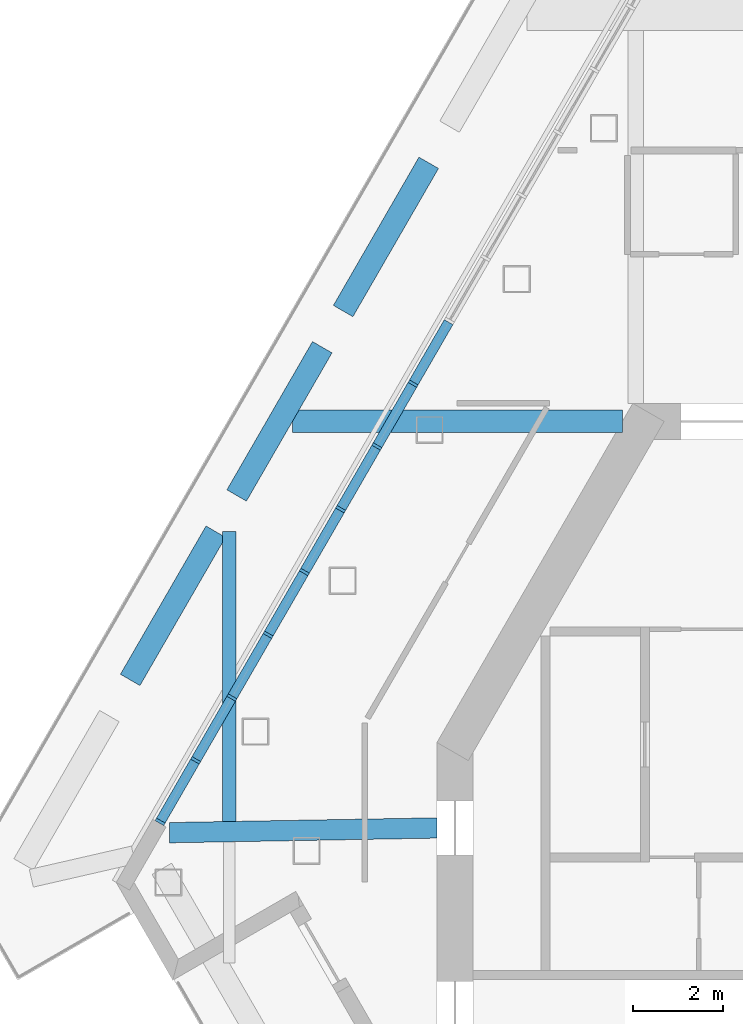
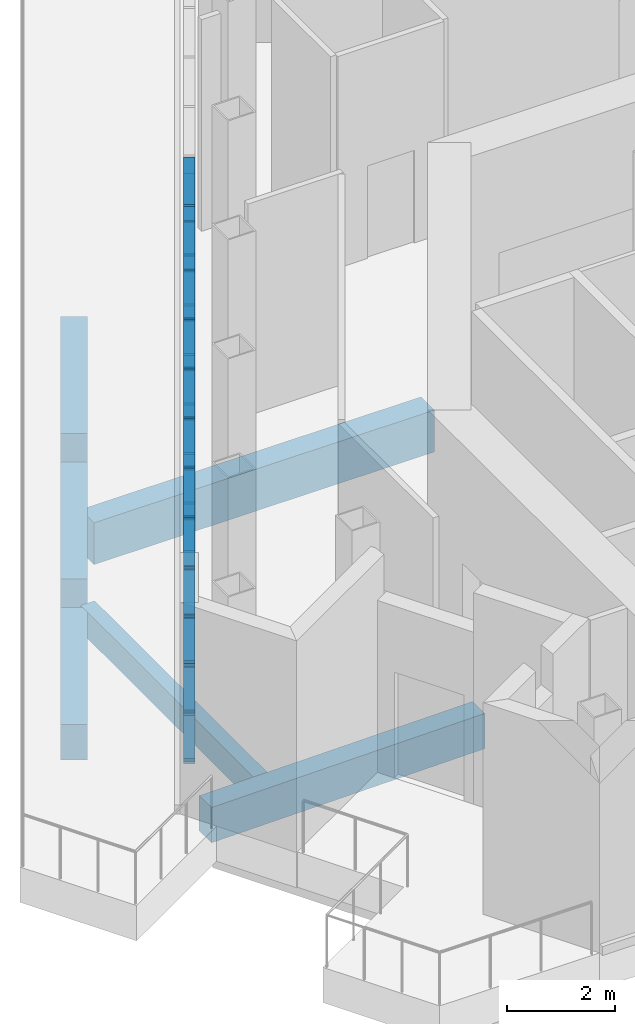
# One storey, part 2 of 15: 56 members, 6 beams, 1 element without a shape of its own.
"""IFC4 building model written with IfcOpenShell, lengths in metres."""

from ifc_helpers import new_model, si_unit, direction, frame, origin, origin_2d, place, context, subcontext, project, spatial, rectangle, extrude, material, material_profile, profile_set, type_object, element, aggregate, save


model = new_model("IFC4")

# Units and contexts
model_context = context("Model", 3, precision=1e-05, world=origin(), true_north=direction((0.0, 1.0)))
body_context = subcontext(model_context, "Body", "Model", "MODEL_VIEW")
ifc_project = project(units=[si_unit("LENGTHUNIT", "METRE"), si_unit("AREAUNIT", "SQUARE_METRE"), si_unit("VOLUMEUNIT", "CUBIC_METRE"), si_unit("PLANEANGLEUNIT", "RADIAN"), si_unit("MASSUNIT", "GRAM", prefix="KILO")], contexts=[model_context])

# Site, building, storey
site_placement = place(None, origin())
site = spatial("IfcSite", under=ifc_project, at=site_placement, CompositionType="ELEMENT")
building_placement = place(site_placement, origin())
building = spatial("IfcBuilding", under=site, at=building_placement, Name="Fogline Exchange Tower", CompositionType="ELEMENT")
storey_placement = place(building_placement, frame((0.0, 0.0, 344.699951171875)))
storey = spatial("IfcBuildingStorey", under=building, at=storey_placement, Name="L78", CompositionType="ELEMENT", Elevation=344.699951171875)

# Beams
ifc_material_1 = material(Name="Concrete C40", Category="concrete")
ifc_material_profile_1 = material_profile(ifc_material_1, rectangle(XDim=0.300048828125, YDim=0.60009765625, at=origin_2d()), Name="RC 300x600")
ifc_profile_set_1 = profile_set([ifc_material_profile_1], Name="Concrete C40")
beam_type_1 = type_object("IfcBeamType", Name="B06", PredefinedType="BEAM", material=ifc_profile_set_1)
beam_1_placement = place(storey_placement, frame((-18.0, 9.1435546875, -1.099853515625), z_axis=(0.0, 1.0, 0.0), x_axis=(-1.0, 0.0, 0.0)))
element("IfcBeam", 1, at=beam_1_placement, inside=storey, type_object=beam_type_1, Name="SB002", PredefinedType="BEAM", context=body_context, shape_type="SweptSolid", body=[
    extrude(rectangle(XDim=0.300048828125, YDim=0.60009765625, at=origin_2d()), origin(), (0.0, 0.0, 1.0), 6.416259765625),
])
ifc_material_profile_2 = material_profile(ifc_material_1, rectangle(XDim=0.5, YDim=0.800048828125, at=origin_2d()), Name="RC 500x800")
ifc_profile_set_2 = profile_set([ifc_material_profile_2], Name="Concrete C40")
beam_type_2 = type_object("IfcBeamType", Name="B10", PredefinedType="BEAM", material=ifc_profile_set_2)
for number, where, z_axis, x_axis, name in (
    (2, (-13.58251953125, 23.725341796875, -1.199951171875), (-0.499997501644, -0.866026846206, 0.0), (0.866026846206, -0.499997501644, 0.0), "RB024"),
    (3, (-15.939697265625, 19.642578125, -1.199951171875), (-0.499997501644, -0.866026846206, 0.0), (0.866026846206, -0.499997501644, 0.0), "RB025"),
    (4, (-18.296875, 15.559814453125, -1.199951171875), (-0.499997501644, -0.866026846206, 0.0), (0.866026846206, -0.499997501644, 0.0), "RB026"),
):
    element("IfcBeam", number, at=place(storey_placement, frame(where, z_axis=z_axis, x_axis=x_axis)), inside=storey, type_object=beam_type_2, Name=name, PredefinedType="BEAM", context=body_context, shape_type="SweptSolid", body=[
        extrude(rectangle(XDim=0.5, YDim=0.800048828125, at=origin_2d()), origin(), (0.0, 0.0, 1.0), 3.79052734375),
    ])
ifc_material_profile_3 = material_profile(ifc_material_1, rectangle(XDim=0.5, YDim=0.949951171875, at=origin_2d()), Name="RC 500x950")
ifc_profile_set_3 = profile_set([ifc_material_profile_3], Name="Concrete C40")
beam_type_3 = type_object("IfcBeamType", Name="B14", PredefinedType="BEAM", material=ifc_profile_set_3)
beam_2_placement = place(storey_placement, frame((-16.599365234375, 18.0, -1.27490234375), z_axis=(1.0, 0.0, 0.0), x_axis=(0.0, 1.0, 0.0)))
element("IfcBeam", 5, at=beam_2_placement, inside=storey, type_object=beam_type_3, Name="GB003", PredefinedType="BEAM", context=body_context, shape_type="SweptSolid", body=[
    extrude(rectangle(XDim=0.5, YDim=0.949951171875, at=origin_2d()), origin(), (0.0, 0.0, 1.0), 7.30322265625),
])
ifc_material_profile_4 = material_profile(ifc_material_1, rectangle(XDim=0.449951171875, YDim=0.800048828125, at=origin_2d()), Name="RC 450x800")
ifc_profile_set_4 = profile_set([ifc_material_profile_4], Name="Concrete C40")
beam_type_4 = type_object("IfcBeamType", Name="B18", PredefinedType="BEAM", material=ifc_profile_set_4)
beam_3_placement = place(storey_placement, frame((-19.32080078125, 8.895263671875, -1.199951171875), z_axis=(0.9998435817, 0.017686495817, 0.0), x_axis=(-0.017686495817, 0.9998435817, 0.0)))
element("IfcBeam", 6, at=beam_3_placement, inside=storey, type_object=beam_type_4, Name="GB001", PredefinedType="BEAM", context=body_context, shape_type="SweptSolid", body=[
    extrude(rectangle(XDim=0.449951171875, YDim=0.800048828125, at=origin_2d()), origin(), (0.0, 0.0, 1.0), 5.921875),
])

# Curtain wall, members
ifc_material_2 = material(Name="Aluminium and glass", Category="aluminium")
curtain_wall_type = type_object("IfcCurtainWallType", Name="CW5", PredefinedType="NOTDEFINED", material=ifc_material_2)
curtain_wall_placement = place(storey_placement, origin())
curtain_wall = element("IfcCurtainWall", 7, at=curtain_wall_placement, inside=storey, type_object=curtain_wall_type, Name="CW5 L78 W run 1", PredefinedType="NOTDEFINED")
ifc_material_3 = material(Name="Aluminium", Category="aluminium")
ifc_material_profile_5 = material_profile(ifc_material_3, rectangle(XDim=0.219970703125, YDim=0.06494140625, at=origin_2d()), Name="Mullion 65x220")
ifc_profile_set_5 = profile_set([ifc_material_profile_5], Name="Aluminium")
member_type_1 = type_object("IfcMemberType", Name="CW5-M", PredefinedType="MULLION", material=ifc_profile_set_5)
member_1_placement = place(storey_placement, frame((-13.9287109375, 18.8359375, 0.0), z_axis=(0.0, 0.0, 1.0), x_axis=(0.866025370998, -0.500000056787, 0.0)))
member_1 = element("IfcMember", 8, at=member_1_placement, type_object=member_type_1, Name="CW5-T26-02 mullion 12", PredefinedType="MULLION", context=body_context, shape_type="SweptSolid", body=[
    extrude(rectangle(XDim=0.219970703125, YDim=0.06494140625, at=origin_2d()), origin(), (0.0, 0.0, 1.0), 4.800048828125),
])
member_2_placement = place(storey_placement, frame((-14.731201171875, 17.4462890625, 0.0), z_axis=(0.0, 0.0, 1.0), x_axis=(0.866025370998, -0.500000056787, 0.0)))
member_2 = element("IfcMember", 9, at=member_2_placement, type_object=member_type_1, Name="CW5-T26-02 mullion 13", PredefinedType="MULLION", context=body_context, shape_type="SweptSolid", body=[
    extrude(rectangle(XDim=0.219970703125, YDim=0.06494140625, at=origin_2d()), origin(), (0.0, 0.0, 1.0), 4.800048828125),
])
member_3_placement = place(storey_placement, frame((-15.533447265625, 16.056396484375, 0.0), z_axis=(0.0, 0.0, 1.0), x_axis=(0.866025370998, -0.500000056787, 0.0)))
member_3 = element("IfcMember", 10, at=member_3_placement, type_object=member_type_1, Name="CW5-T26-02 mullion 14", PredefinedType="MULLION", context=body_context, shape_type="SweptSolid", body=[
    extrude(rectangle(XDim=0.219970703125, YDim=0.06494140625, at=origin_2d()), origin(), (0.0, 0.0, 1.0), 4.800048828125),
])
member_4_placement = place(storey_placement, frame((-16.3359375, 14.666748046875, 0.0), z_axis=(0.0, 0.0, 1.0), x_axis=(0.866025370998, -0.500000056787, 0.0)))
member_4 = element("IfcMember", 11, at=member_4_placement, type_object=member_type_1, Name="CW5-T26-02 mullion 15", PredefinedType="MULLION", context=body_context, shape_type="SweptSolid", body=[
    extrude(rectangle(XDim=0.219970703125, YDim=0.06494140625, at=origin_2d()), origin(), (0.0, 0.0, 1.0), 4.800048828125),
])
member_5_placement = place(storey_placement, frame((-17.13818359375, 13.277099609375, 0.0), z_axis=(0.0, 0.0, 1.0), x_axis=(0.866025370998, -0.500000056787, 0.0)))
member_5 = element("IfcMember", 12, at=member_5_placement, type_object=member_type_1, Name="CW5-T26-02 mullion 16", PredefinedType="MULLION", context=body_context, shape_type="SweptSolid", body=[
    extrude(rectangle(XDim=0.219970703125, YDim=0.06494140625, at=origin_2d()), origin(), (0.0, 0.0, 1.0), 4.800048828125),
])
member_6_placement = place(storey_placement, frame((-17.940673828125, 11.88720703125, 0.0), z_axis=(0.0, 0.0, 1.0), x_axis=(0.866025370998, -0.500000056787, 0.0)))
member_6 = element("IfcMember", 13, at=member_6_placement, type_object=member_type_1, Name="CW5-T26-02 mullion 17", PredefinedType="MULLION", context=body_context, shape_type="SweptSolid", body=[
    extrude(rectangle(XDim=0.219970703125, YDim=0.06494140625, at=origin_2d()), origin(), (0.0, 0.0, 1.0), 4.800048828125),
])
member_7_placement = place(storey_placement, frame((-18.742919921875, 10.49755859375, 0.0), z_axis=(0.0, 0.0, 1.0), x_axis=(0.866025370998, -0.500000056787, 0.0)))
member_7 = element("IfcMember", 14, at=member_7_placement, type_object=member_type_1, Name="CW5-T26-02 mullion 18", PredefinedType="MULLION", context=body_context, shape_type="SweptSolid", body=[
    extrude(rectangle(XDim=0.219970703125, YDim=0.06494140625, at=origin_2d()), origin(), (0.0, 0.0, 1.0), 4.800048828125),
])
member_8_placement = place(storey_placement, frame((-19.529052734375, 9.135986328125, 0.0), z_axis=(0.0, 0.0, 1.0), x_axis=(0.866025370998, -0.500000056787, 0.0)))
member_8 = element("IfcMember", 15, at=member_8_placement, type_object=member_type_1, Name="CW5-T26-02 mullion 19", PredefinedType="MULLION", context=body_context, shape_type="SweptSolid", body=[
    extrude(rectangle(XDim=0.219970703125, YDim=0.06494140625, at=origin_2d()), origin(), (0.0, 0.0, 1.0), 4.800048828125),
])
ifc_material_profile_6 = material_profile(ifc_material_3, rectangle(XDim=0.219970703125, YDim=0.080078125, at=origin_2d()), Name="Transom 80x220")
ifc_profile_set_6 = profile_set([ifc_material_profile_6], Name="Aluminium")
member_type_2 = type_object("IfcMemberType", Name="CW5-T", PredefinedType="USERDEFINED", material=ifc_profile_set_6)
member_9_placement = place(storey_placement, frame((-13.142578125, 20.197509765625, 0.0400390625), z_axis=(-0.500060979923, -0.865990194147, 0.0), x_axis=(0.865990194147, -0.500060979923, 0.0)))
member_9 = element("IfcMember", 16, at=member_9_placement, type_object=member_type_2, Name="CW5-T26-02 transom 11.1", ObjectType="TRANSOM", PredefinedType="USERDEFINED", context=body_context, shape_type="SweptSolid", body=[
    extrude(rectangle(XDim=0.219970703125, YDim=0.080078125, at=origin_2d()), origin(), (0.0, 0.0, 1.0), 1.539794921875),
])
member_10_placement = place(storey_placement, frame((-13.142578125, 20.197509765625, 1.10009765625), z_axis=(-0.500060979923, -0.865990194147, 0.0), x_axis=(0.865990194147, -0.500060979923, 0.0)))
member_10 = element("IfcMember", 17, at=member_10_placement, type_object=member_type_2, Name="CW5-T26-02 transom 11.2", ObjectType="TRANSOM", PredefinedType="USERDEFINED", context=body_context, shape_type="SweptSolid", body=[
    extrude(rectangle(XDim=0.219970703125, YDim=0.080078125, at=origin_2d()), origin(), (0.0, 0.0, 1.0), 1.539794921875),
])
member_11_placement = place(storey_placement, frame((-13.142578125, 20.197509765625, 2.199951171875), z_axis=(-0.500060979923, -0.865990194147, 0.0), x_axis=(0.865990194147, -0.500060979923, 0.0)))
member_11 = element("IfcMember", 18, at=member_11_placement, type_object=member_type_2, Name="CW5-T26-02 transom 11.3", ObjectType="TRANSOM", PredefinedType="USERDEFINED", context=body_context, shape_type="SweptSolid", body=[
    extrude(rectangle(XDim=0.219970703125, YDim=0.080078125, at=origin_2d()), origin(), (0.0, 0.0, 1.0), 1.539794921875),
])
member_12_placement = place(storey_placement, frame((-13.142578125, 20.197509765625, 3.300048828125), z_axis=(-0.500060979923, -0.865990194147, 0.0), x_axis=(0.865990194147, -0.500060979923, 0.0)))
member_12 = element("IfcMember", 19, at=member_12_placement, type_object=member_type_2, Name="CW5-T26-02 transom 11.4", ObjectType="TRANSOM", PredefinedType="USERDEFINED", context=body_context, shape_type="SweptSolid", body=[
    extrude(rectangle(XDim=0.219970703125, YDim=0.080078125, at=origin_2d()), origin(), (0.0, 0.0, 1.0), 1.539794921875),
])
member_13_placement = place(storey_placement, frame((-13.142578125, 20.197509765625, 4.400146484375), z_axis=(-0.500060979923, -0.865990194147, 0.0), x_axis=(0.865990194147, -0.500060979923, 0.0)))
member_13 = element("IfcMember", 20, at=member_13_placement, type_object=member_type_2, Name="CW5-T26-02 transom 11.5", ObjectType="TRANSOM", PredefinedType="USERDEFINED", context=body_context, shape_type="SweptSolid", body=[
    extrude(rectangle(XDim=0.219970703125, YDim=0.080078125, at=origin_2d()), origin(), (0.0, 0.0, 1.0), 1.539794921875),
])
member_14_placement = place(storey_placement, frame((-13.142578125, 20.197509765625, 4.760009765625), z_axis=(-0.500060979923, -0.865990194147, 0.0), x_axis=(0.865990194147, -0.500060979923, 0.0)))
member_14 = element("IfcMember", 21, at=member_14_placement, type_object=member_type_2, Name="CW5-T26-02 transom 11.6", ObjectType="TRANSOM", PredefinedType="USERDEFINED", context=body_context, shape_type="SweptSolid", body=[
    extrude(rectangle(XDim=0.219970703125, YDim=0.080078125, at=origin_2d()), origin(), (0.0, 0.0, 1.0), 1.539794921875),
])
member_15_placement = place(storey_placement, frame((-13.945068359375, 18.807861328125, 0.0400390625), z_axis=(-0.499942064311, -0.866058850386, 0.0), x_axis=(0.866058850386, -0.499942064311, 0.0)))
member_15 = element("IfcMember", 22, at=member_15_placement, type_object=member_type_2, Name="CW5-T26-02 transom 12.1", ObjectType="TRANSOM", PredefinedType="USERDEFINED", context=body_context, shape_type="SweptSolid", body=[
    extrude(rectangle(XDim=0.219970703125, YDim=0.080078125, at=origin_2d()), origin(), (0.0, 0.0, 1.0), 1.539794921875),
])
member_16_placement = place(storey_placement, frame((-13.945068359375, 18.807861328125, 1.10009765625), z_axis=(-0.499942064311, -0.866058850386, 0.0), x_axis=(0.866058850386, -0.499942064311, 0.0)))
member_16 = element("IfcMember", 23, at=member_16_placement, type_object=member_type_2, Name="CW5-T26-02 transom 12.2", ObjectType="TRANSOM", PredefinedType="USERDEFINED", context=body_context, shape_type="SweptSolid", body=[
    extrude(rectangle(XDim=0.219970703125, YDim=0.080078125, at=origin_2d()), origin(), (0.0, 0.0, 1.0), 1.539794921875),
])
member_17_placement = place(storey_placement, frame((-13.945068359375, 18.807861328125, 2.199951171875), z_axis=(-0.499942064311, -0.866058850386, 0.0), x_axis=(0.866058850386, -0.499942064311, 0.0)))
member_17 = element("IfcMember", 24, at=member_17_placement, type_object=member_type_2, Name="CW5-T26-02 transom 12.3", ObjectType="TRANSOM", PredefinedType="USERDEFINED", context=body_context, shape_type="SweptSolid", body=[
    extrude(rectangle(XDim=0.219970703125, YDim=0.080078125, at=origin_2d()), origin(), (0.0, 0.0, 1.0), 1.539794921875),
])
member_18_placement = place(storey_placement, frame((-13.945068359375, 18.807861328125, 3.300048828125), z_axis=(-0.499942064311, -0.866058850386, 0.0), x_axis=(0.866058850386, -0.499942064311, 0.0)))
member_18 = element("IfcMember", 25, at=member_18_placement, type_object=member_type_2, Name="CW5-T26-02 transom 12.4", ObjectType="TRANSOM", PredefinedType="USERDEFINED", context=body_context, shape_type="SweptSolid", body=[
    extrude(rectangle(XDim=0.219970703125, YDim=0.080078125, at=origin_2d()), origin(), (0.0, 0.0, 1.0), 1.539794921875),
])
member_19_placement = place(storey_placement, frame((-13.945068359375, 18.807861328125, 4.400146484375), z_axis=(-0.499942064311, -0.866058850386, 0.0), x_axis=(0.866058850386, -0.499942064311, 0.0)))
member_19 = element("IfcMember", 26, at=member_19_placement, type_object=member_type_2, Name="CW5-T26-02 transom 12.5", ObjectType="TRANSOM", PredefinedType="USERDEFINED", context=body_context, shape_type="SweptSolid", body=[
    extrude(rectangle(XDim=0.219970703125, YDim=0.080078125, at=origin_2d()), origin(), (0.0, 0.0, 1.0), 1.539794921875),
])
member_20_placement = place(storey_placement, frame((-13.945068359375, 18.807861328125, 4.760009765625), z_axis=(-0.499942064311, -0.866058850386, 0.0), x_axis=(0.866058850386, -0.499942064311, 0.0)))
member_20 = element("IfcMember", 27, at=member_20_placement, type_object=member_type_2, Name="CW5-T26-02 transom 12.6", ObjectType="TRANSOM", PredefinedType="USERDEFINED", context=body_context, shape_type="SweptSolid", body=[
    extrude(rectangle(XDim=0.219970703125, YDim=0.080078125, at=origin_2d()), origin(), (0.0, 0.0, 1.0), 1.539794921875),
])
member_21_placement = place(storey_placement, frame((-14.747314453125, 17.418212890625, 0.0400390625), z_axis=(-0.500060979923, -0.865990194147, 0.0), x_axis=(0.865990194147, -0.500060979923, 0.0)))
member_21 = element("IfcMember", 28, at=member_21_placement, type_object=member_type_2, Name="CW5-T26-02 transom 13.1", ObjectType="TRANSOM", PredefinedType="USERDEFINED", context=body_context, shape_type="SweptSolid", body=[
    extrude(rectangle(XDim=0.219970703125, YDim=0.080078125, at=origin_2d()), origin(), (0.0, 0.0, 1.0), 1.539794921875),
])
member_22_placement = place(storey_placement, frame((-14.747314453125, 17.418212890625, 1.10009765625), z_axis=(-0.500060979923, -0.865990194147, 0.0), x_axis=(0.865990194147, -0.500060979923, 0.0)))
member_22 = element("IfcMember", 29, at=member_22_placement, type_object=member_type_2, Name="CW5-T26-02 transom 13.2", ObjectType="TRANSOM", PredefinedType="USERDEFINED", context=body_context, shape_type="SweptSolid", body=[
    extrude(rectangle(XDim=0.219970703125, YDim=0.080078125, at=origin_2d()), origin(), (0.0, 0.0, 1.0), 1.539794921875),
])
member_23_placement = place(storey_placement, frame((-14.747314453125, 17.418212890625, 2.199951171875), z_axis=(-0.500060979923, -0.865990194147, 0.0), x_axis=(0.865990194147, -0.500060979923, 0.0)))
member_23 = element("IfcMember", 30, at=member_23_placement, type_object=member_type_2, Name="CW5-T26-02 transom 13.3", ObjectType="TRANSOM", PredefinedType="USERDEFINED", context=body_context, shape_type="SweptSolid", body=[
    extrude(rectangle(XDim=0.219970703125, YDim=0.080078125, at=origin_2d()), origin(), (0.0, 0.0, 1.0), 1.539794921875),
])
member_24_placement = place(storey_placement, frame((-14.747314453125, 17.418212890625, 3.300048828125), z_axis=(-0.500060979923, -0.865990194147, 0.0), x_axis=(0.865990194147, -0.500060979923, 0.0)))
member_24 = element("IfcMember", 31, at=member_24_placement, type_object=member_type_2, Name="CW5-T26-02 transom 13.4", ObjectType="TRANSOM", PredefinedType="USERDEFINED", context=body_context, shape_type="SweptSolid", body=[
    extrude(rectangle(XDim=0.219970703125, YDim=0.080078125, at=origin_2d()), origin(), (0.0, 0.0, 1.0), 1.539794921875),
])
member_25_placement = place(storey_placement, frame((-14.747314453125, 17.418212890625, 4.400146484375), z_axis=(-0.500060979923, -0.865990194147, 0.0), x_axis=(0.865990194147, -0.500060979923, 0.0)))
member_25 = element("IfcMember", 32, at=member_25_placement, type_object=member_type_2, Name="CW5-T26-02 transom 13.5", ObjectType="TRANSOM", PredefinedType="USERDEFINED", context=body_context, shape_type="SweptSolid", body=[
    extrude(rectangle(XDim=0.219970703125, YDim=0.080078125, at=origin_2d()), origin(), (0.0, 0.0, 1.0), 1.539794921875),
])
member_26_placement = place(storey_placement, frame((-14.747314453125, 17.418212890625, 4.760009765625), z_axis=(-0.500060979923, -0.865990194147, 0.0), x_axis=(0.865990194147, -0.500060979923, 0.0)))
member_26 = element("IfcMember", 33, at=member_26_placement, type_object=member_type_2, Name="CW5-T26-02 transom 13.6", ObjectType="TRANSOM", PredefinedType="USERDEFINED", context=body_context, shape_type="SweptSolid", body=[
    extrude(rectangle(XDim=0.219970703125, YDim=0.080078125, at=origin_2d()), origin(), (0.0, 0.0, 1.0), 1.539794921875),
])
member_27_placement = place(storey_placement, frame((-15.5498046875, 16.0283203125, 0.0400390625), z_axis=(-0.499942064311, -0.866058850386, 0.0), x_axis=(0.866058850386, -0.499942064311, 0.0)))
member_27 = element("IfcMember", 34, at=member_27_placement, type_object=member_type_2, Name="CW5-T26-02 transom 14.1", ObjectType="TRANSOM", PredefinedType="USERDEFINED", context=body_context, shape_type="SweptSolid", body=[
    extrude(rectangle(XDim=0.219970703125, YDim=0.080078125, at=origin_2d()), origin(), (0.0, 0.0, 1.0), 1.539794921875),
])
member_28_placement = place(storey_placement, frame((-15.5498046875, 16.0283203125, 1.10009765625), z_axis=(-0.499942064311, -0.866058850386, 0.0), x_axis=(0.866058850386, -0.499942064311, 0.0)))
member_28 = element("IfcMember", 35, at=member_28_placement, type_object=member_type_2, Name="CW5-T26-02 transom 14.2", ObjectType="TRANSOM", PredefinedType="USERDEFINED", context=body_context, shape_type="SweptSolid", body=[
    extrude(rectangle(XDim=0.219970703125, YDim=0.080078125, at=origin_2d()), origin(), (0.0, 0.0, 1.0), 1.539794921875),
])
member_29_placement = place(storey_placement, frame((-15.5498046875, 16.0283203125, 2.199951171875), z_axis=(-0.499942064311, -0.866058850386, 0.0), x_axis=(0.866058850386, -0.499942064311, 0.0)))
member_29 = element("IfcMember", 36, at=member_29_placement, type_object=member_type_2, Name="CW5-T26-02 transom 14.3", ObjectType="TRANSOM", PredefinedType="USERDEFINED", context=body_context, shape_type="SweptSolid", body=[
    extrude(rectangle(XDim=0.219970703125, YDim=0.080078125, at=origin_2d()), origin(), (0.0, 0.0, 1.0), 1.539794921875),
])
member_30_placement = place(storey_placement, frame((-15.5498046875, 16.0283203125, 3.300048828125), z_axis=(-0.499942064311, -0.866058850386, 0.0), x_axis=(0.866058850386, -0.499942064311, 0.0)))
member_30 = element("IfcMember", 37, at=member_30_placement, type_object=member_type_2, Name="CW5-T26-02 transom 14.4", ObjectType="TRANSOM", PredefinedType="USERDEFINED", context=body_context, shape_type="SweptSolid", body=[
    extrude(rectangle(XDim=0.219970703125, YDim=0.080078125, at=origin_2d()), origin(), (0.0, 0.0, 1.0), 1.539794921875),
])
member_31_placement = place(storey_placement, frame((-15.5498046875, 16.0283203125, 4.400146484375), z_axis=(-0.499942064311, -0.866058850386, 0.0), x_axis=(0.866058850386, -0.499942064311, 0.0)))
member_31 = element("IfcMember", 38, at=member_31_placement, type_object=member_type_2, Name="CW5-T26-02 transom 14.5", ObjectType="TRANSOM", PredefinedType="USERDEFINED", context=body_context, shape_type="SweptSolid", body=[
    extrude(rectangle(XDim=0.219970703125, YDim=0.080078125, at=origin_2d()), origin(), (0.0, 0.0, 1.0), 1.539794921875),
])
member_32_placement = place(storey_placement, frame((-15.5498046875, 16.0283203125, 4.760009765625), z_axis=(-0.499942064311, -0.866058850386, 0.0), x_axis=(0.866058850386, -0.499942064311, 0.0)))
member_32 = element("IfcMember", 39, at=member_32_placement, type_object=member_type_2, Name="CW5-T26-02 transom 14.6", ObjectType="TRANSOM", PredefinedType="USERDEFINED", context=body_context, shape_type="SweptSolid", body=[
    extrude(rectangle(XDim=0.219970703125, YDim=0.080078125, at=origin_2d()), origin(), (0.0, 0.0, 1.0), 1.539794921875),
])
member_33_placement = place(storey_placement, frame((-16.35205078125, 14.638671875, 0.0400390625), z_axis=(-0.499942064311, -0.866058850386, 0.0), x_axis=(0.866058850386, -0.499942064311, 0.0)))
member_33 = element("IfcMember", 40, at=member_33_placement, type_object=member_type_2, Name="CW5-T26-02 transom 15.1", ObjectType="TRANSOM", PredefinedType="USERDEFINED", context=body_context, shape_type="SweptSolid", body=[
    extrude(rectangle(XDim=0.219970703125, YDim=0.080078125, at=origin_2d()), origin(), (0.0, 0.0, 1.0), 1.539794921875),
])
member_34_placement = place(storey_placement, frame((-16.35205078125, 14.638671875, 1.10009765625), z_axis=(-0.499942064311, -0.866058850386, 0.0), x_axis=(0.866058850386, -0.499942064311, 0.0)))
member_34 = element("IfcMember", 41, at=member_34_placement, type_object=member_type_2, Name="CW5-T26-02 transom 15.2", ObjectType="TRANSOM", PredefinedType="USERDEFINED", context=body_context, shape_type="SweptSolid", body=[
    extrude(rectangle(XDim=0.219970703125, YDim=0.080078125, at=origin_2d()), origin(), (0.0, 0.0, 1.0), 1.539794921875),
])
member_35_placement = place(storey_placement, frame((-16.35205078125, 14.638671875, 2.199951171875), z_axis=(-0.499942064311, -0.866058850386, 0.0), x_axis=(0.866058850386, -0.499942064311, 0.0)))
member_35 = element("IfcMember", 42, at=member_35_placement, type_object=member_type_2, Name="CW5-T26-02 transom 15.3", ObjectType="TRANSOM", PredefinedType="USERDEFINED", context=body_context, shape_type="SweptSolid", body=[
    extrude(rectangle(XDim=0.219970703125, YDim=0.080078125, at=origin_2d()), origin(), (0.0, 0.0, 1.0), 1.539794921875),
])
member_36_placement = place(storey_placement, frame((-16.35205078125, 14.638671875, 3.300048828125), z_axis=(-0.499942064311, -0.866058850386, 0.0), x_axis=(0.866058850386, -0.499942064311, 0.0)))
member_36 = element("IfcMember", 43, at=member_36_placement, type_object=member_type_2, Name="CW5-T26-02 transom 15.4", ObjectType="TRANSOM", PredefinedType="USERDEFINED", context=body_context, shape_type="SweptSolid", body=[
    extrude(rectangle(XDim=0.219970703125, YDim=0.080078125, at=origin_2d()), origin(), (0.0, 0.0, 1.0), 1.539794921875),
])
member_37_placement = place(storey_placement, frame((-16.35205078125, 14.638671875, 4.400146484375), z_axis=(-0.499942064311, -0.866058850386, 0.0), x_axis=(0.866058850386, -0.499942064311, 0.0)))
member_37 = element("IfcMember", 44, at=member_37_placement, type_object=member_type_2, Name="CW5-T26-02 transom 15.5", ObjectType="TRANSOM", PredefinedType="USERDEFINED", context=body_context, shape_type="SweptSolid", body=[
    extrude(rectangle(XDim=0.219970703125, YDim=0.080078125, at=origin_2d()), origin(), (0.0, 0.0, 1.0), 1.539794921875),
])
member_38_placement = place(storey_placement, frame((-16.35205078125, 14.638671875, 4.760009765625), z_axis=(-0.499942064311, -0.866058850386, 0.0), x_axis=(0.866058850386, -0.499942064311, 0.0)))
member_38 = element("IfcMember", 45, at=member_38_placement, type_object=member_type_2, Name="CW5-T26-02 transom 15.6", ObjectType="TRANSOM", PredefinedType="USERDEFINED", context=body_context, shape_type="SweptSolid", body=[
    extrude(rectangle(XDim=0.219970703125, YDim=0.080078125, at=origin_2d()), origin(), (0.0, 0.0, 1.0), 1.539794921875),
])
member_39_placement = place(storey_placement, frame((-17.154541015625, 13.2490234375, 0.0400390625), z_axis=(-0.499942064311, -0.866058850386, 0.0), x_axis=(0.866058850386, -0.499942064311, 0.0)))
member_39 = element("IfcMember", 46, at=member_39_placement, type_object=member_type_2, Name="CW5-T26-02 transom 16.1", ObjectType="TRANSOM", PredefinedType="USERDEFINED", context=body_context, shape_type="SweptSolid", body=[
    extrude(rectangle(XDim=0.219970703125, YDim=0.080078125, at=origin_2d()), origin(), (0.0, 0.0, 1.0), 1.539794921875),
])
member_40_placement = place(storey_placement, frame((-17.154541015625, 13.2490234375, 1.10009765625), z_axis=(-0.499942064311, -0.866058850386, 0.0), x_axis=(0.866058850386, -0.499942064311, 0.0)))
member_40 = element("IfcMember", 47, at=member_40_placement, type_object=member_type_2, Name="CW5-T26-02 transom 16.2", ObjectType="TRANSOM", PredefinedType="USERDEFINED", context=body_context, shape_type="SweptSolid", body=[
    extrude(rectangle(XDim=0.219970703125, YDim=0.080078125, at=origin_2d()), origin(), (0.0, 0.0, 1.0), 1.539794921875),
])
member_41_placement = place(storey_placement, frame((-17.154541015625, 13.2490234375, 2.199951171875), z_axis=(-0.499942064311, -0.866058850386, 0.0), x_axis=(0.866058850386, -0.499942064311, 0.0)))
member_41 = element("IfcMember", 48, at=member_41_placement, type_object=member_type_2, Name="CW5-T26-02 transom 16.3", ObjectType="TRANSOM", PredefinedType="USERDEFINED", context=body_context, shape_type="SweptSolid", body=[
    extrude(rectangle(XDim=0.219970703125, YDim=0.080078125, at=origin_2d()), origin(), (0.0, 0.0, 1.0), 1.539794921875),
])
member_42_placement = place(storey_placement, frame((-17.154541015625, 13.2490234375, 3.300048828125), z_axis=(-0.499942064311, -0.866058850386, 0.0), x_axis=(0.866058850386, -0.499942064311, 0.0)))
member_42 = element("IfcMember", 49, at=member_42_placement, type_object=member_type_2, Name="CW5-T26-02 transom 16.4", ObjectType="TRANSOM", PredefinedType="USERDEFINED", context=body_context, shape_type="SweptSolid", body=[
    extrude(rectangle(XDim=0.219970703125, YDim=0.080078125, at=origin_2d()), origin(), (0.0, 0.0, 1.0), 1.539794921875),
])
member_43_placement = place(storey_placement, frame((-17.154541015625, 13.2490234375, 4.400146484375), z_axis=(-0.499942064311, -0.866058850386, 0.0), x_axis=(0.866058850386, -0.499942064311, 0.0)))
member_43 = element("IfcMember", 50, at=member_43_placement, type_object=member_type_2, Name="CW5-T26-02 transom 16.5", ObjectType="TRANSOM", PredefinedType="USERDEFINED", context=body_context, shape_type="SweptSolid", body=[
    extrude(rectangle(XDim=0.219970703125, YDim=0.080078125, at=origin_2d()), origin(), (0.0, 0.0, 1.0), 1.539794921875),
])
member_44_placement = place(storey_placement, frame((-17.154541015625, 13.2490234375, 4.760009765625), z_axis=(-0.499942064311, -0.866058850386, 0.0), x_axis=(0.866058850386, -0.499942064311, 0.0)))
member_44 = element("IfcMember", 51, at=member_44_placement, type_object=member_type_2, Name="CW5-T26-02 transom 16.6", ObjectType="TRANSOM", PredefinedType="USERDEFINED", context=body_context, shape_type="SweptSolid", body=[
    extrude(rectangle(XDim=0.219970703125, YDim=0.080078125, at=origin_2d()), origin(), (0.0, 0.0, 1.0), 1.539794921875),
])
member_45_placement = place(storey_placement, frame((-17.956787109375, 11.859130859375, 0.0400390625), z_axis=(-0.499942064311, -0.866058850386, 0.0), x_axis=(0.866058850386, -0.499942064311, 0.0)))
member_45 = element("IfcMember", 52, at=member_45_placement, type_object=member_type_2, Name="CW5-T26-02 transom 17.1", ObjectType="TRANSOM", PredefinedType="USERDEFINED", context=body_context, shape_type="SweptSolid", body=[
    extrude(rectangle(XDim=0.219970703125, YDim=0.080078125, at=origin_2d()), origin(), (0.0, 0.0, 1.0), 1.539794921875),
])
member_46_placement = place(storey_placement, frame((-17.956787109375, 11.859130859375, 1.10009765625), z_axis=(-0.499942064311, -0.866058850386, 0.0), x_axis=(0.866058850386, -0.499942064311, 0.0)))
member_46 = element("IfcMember", 53, at=member_46_placement, type_object=member_type_2, Name="CW5-T26-02 transom 17.2", ObjectType="TRANSOM", PredefinedType="USERDEFINED", context=body_context, shape_type="SweptSolid", body=[
    extrude(rectangle(XDim=0.219970703125, YDim=0.080078125, at=origin_2d()), origin(), (0.0, 0.0, 1.0), 1.539794921875),
])
member_47_placement = place(storey_placement, frame((-17.956787109375, 11.859130859375, 2.199951171875), z_axis=(-0.499942064311, -0.866058850386, 0.0), x_axis=(0.866058850386, -0.499942064311, 0.0)))
member_47 = element("IfcMember", 54, at=member_47_placement, type_object=member_type_2, Name="CW5-T26-02 transom 17.3", ObjectType="TRANSOM", PredefinedType="USERDEFINED", context=body_context, shape_type="SweptSolid", body=[
    extrude(rectangle(XDim=0.219970703125, YDim=0.080078125, at=origin_2d()), origin(), (0.0, 0.0, 1.0), 1.539794921875),
])
member_48_placement = place(storey_placement, frame((-17.956787109375, 11.859130859375, 3.300048828125), z_axis=(-0.499942064311, -0.866058850386, 0.0), x_axis=(0.866058850386, -0.499942064311, 0.0)))
member_48 = element("IfcMember", 55, at=member_48_placement, type_object=member_type_2, Name="CW5-T26-02 transom 17.4", ObjectType="TRANSOM", PredefinedType="USERDEFINED", context=body_context, shape_type="SweptSolid", body=[
    extrude(rectangle(XDim=0.219970703125, YDim=0.080078125, at=origin_2d()), origin(), (0.0, 0.0, 1.0), 1.539794921875),
])
member_49_placement = place(storey_placement, frame((-17.956787109375, 11.859130859375, 4.400146484375), z_axis=(-0.499942064311, -0.866058850386, 0.0), x_axis=(0.866058850386, -0.499942064311, 0.0)))
member_49 = element("IfcMember", 56, at=member_49_placement, type_object=member_type_2, Name="CW5-T26-02 transom 17.5", ObjectType="TRANSOM", PredefinedType="USERDEFINED", context=body_context, shape_type="SweptSolid", body=[
    extrude(rectangle(XDim=0.219970703125, YDim=0.080078125, at=origin_2d()), origin(), (0.0, 0.0, 1.0), 1.539794921875),
])
member_50_placement = place(storey_placement, frame((-17.956787109375, 11.859130859375, 4.760009765625), z_axis=(-0.499942064311, -0.866058850386, 0.0), x_axis=(0.866058850386, -0.499942064311, 0.0)))
member_50 = element("IfcMember", 57, at=member_50_placement, type_object=member_type_2, Name="CW5-T26-02 transom 17.6", ObjectType="TRANSOM", PredefinedType="USERDEFINED", context=body_context, shape_type="SweptSolid", body=[
    extrude(rectangle(XDim=0.219970703125, YDim=0.080078125, at=origin_2d()), origin(), (0.0, 0.0, 1.0), 1.539794921875),
])
member_51_placement = place(storey_placement, frame((-18.75927734375, 10.469482421875, 0.0400390625), z_axis=(-0.499867346735, -0.866101977638, 0.0), x_axis=(0.866101977638, -0.499867346735, 0.0)))
member_51 = element("IfcMember", 58, at=member_51_placement, type_object=member_type_2, Name="CW5-T26-02 transom 18.1", ObjectType="TRANSOM", PredefinedType="USERDEFINED", context=body_context, shape_type="SweptSolid", body=[
    extrude(rectangle(XDim=0.219970703125, YDim=0.080078125, at=origin_2d()), origin(), (0.0, 0.0, 1.0), 1.50732421875),
])
member_52_placement = place(storey_placement, frame((-18.75927734375, 10.469482421875, 1.10009765625), z_axis=(-0.499867346735, -0.866101977638, 0.0), x_axis=(0.866101977638, -0.499867346735, 0.0)))
member_52 = element("IfcMember", 59, at=member_52_placement, type_object=member_type_2, Name="CW5-T26-02 transom 18.2", ObjectType="TRANSOM", PredefinedType="USERDEFINED", context=body_context, shape_type="SweptSolid", body=[
    extrude(rectangle(XDim=0.219970703125, YDim=0.080078125, at=origin_2d()), origin(), (0.0, 0.0, 1.0), 1.50732421875),
])
member_53_placement = place(storey_placement, frame((-18.75927734375, 10.469482421875, 2.199951171875), z_axis=(-0.499867346735, -0.866101977638, 0.0), x_axis=(0.866101977638, -0.499867346735, 0.0)))
member_53 = element("IfcMember", 60, at=member_53_placement, type_object=member_type_2, Name="CW5-T26-02 transom 18.3", ObjectType="TRANSOM", PredefinedType="USERDEFINED", context=body_context, shape_type="SweptSolid", body=[
    extrude(rectangle(XDim=0.219970703125, YDim=0.080078125, at=origin_2d()), origin(), (0.0, 0.0, 1.0), 1.50732421875),
])
member_54_placement = place(storey_placement, frame((-18.75927734375, 10.469482421875, 3.300048828125), z_axis=(-0.499867346735, -0.866101977638, 0.0), x_axis=(0.866101977638, -0.499867346735, 0.0)))
member_54 = element("IfcMember", 61, at=member_54_placement, type_object=member_type_2, Name="CW5-T26-02 transom 18.4", ObjectType="TRANSOM", PredefinedType="USERDEFINED", context=body_context, shape_type="SweptSolid", body=[
    extrude(rectangle(XDim=0.219970703125, YDim=0.080078125, at=origin_2d()), origin(), (0.0, 0.0, 1.0), 1.50732421875),
])
member_55_placement = place(storey_placement, frame((-18.75927734375, 10.469482421875, 4.400146484375), z_axis=(-0.499867346735, -0.866101977638, 0.0), x_axis=(0.866101977638, -0.499867346735, 0.0)))
member_55 = element("IfcMember", 62, at=member_55_placement, type_object=member_type_2, Name="CW5-T26-02 transom 18.5", ObjectType="TRANSOM", PredefinedType="USERDEFINED", context=body_context, shape_type="SweptSolid", body=[
    extrude(rectangle(XDim=0.219970703125, YDim=0.080078125, at=origin_2d()), origin(), (0.0, 0.0, 1.0), 1.50732421875),
])
member_56_placement = place(storey_placement, frame((-18.75927734375, 10.469482421875, 4.760009765625), z_axis=(-0.499867346735, -0.866101977638, 0.0), x_axis=(0.866101977638, -0.499867346735, 0.0)))
member_56 = element("IfcMember", 63, at=member_56_placement, type_object=member_type_2, Name="CW5-T26-02 transom 18.6", ObjectType="TRANSOM", PredefinedType="USERDEFINED", context=body_context, shape_type="SweptSolid", body=[
    extrude(rectangle(XDim=0.219970703125, YDim=0.080078125, at=origin_2d()), origin(), (0.0, 0.0, 1.0), 1.50732421875),
])
aggregate(curtain_wall, [member_1, member_2, member_3, member_4, member_5, member_6, member_7, member_8, member_9, member_10, member_11, member_12, member_13, member_14, member_15, member_16, member_17, member_18, member_19, member_20, member_21, member_22, member_23, member_24, member_25, member_26, member_27, member_28, member_29, member_30, member_31, member_32, member_33, member_34, member_35, member_36, member_37, member_38, member_39, member_40, member_41, member_42, member_43, member_44, member_45, member_46, member_47, member_48, member_49, member_50, member_51, member_52, member_53, member_54, member_55, member_56])

save(model, "model.ifc")
